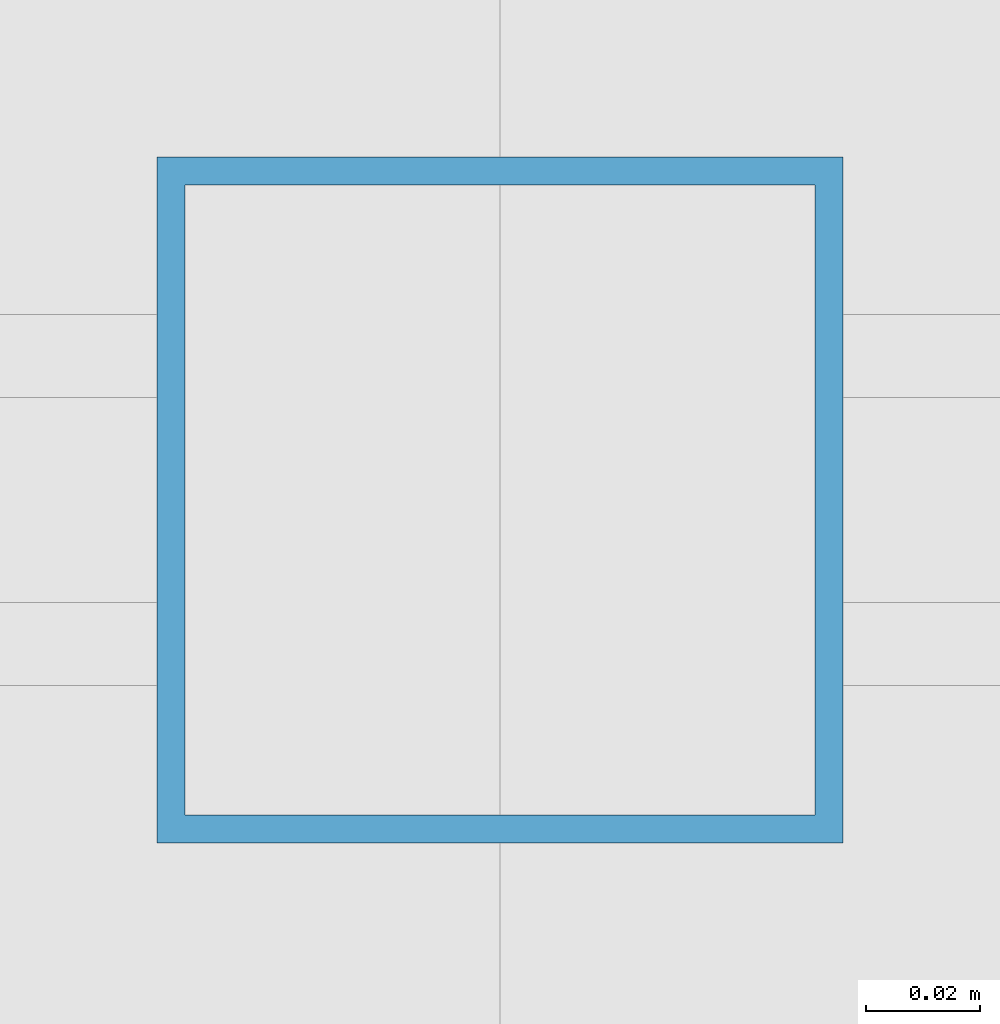
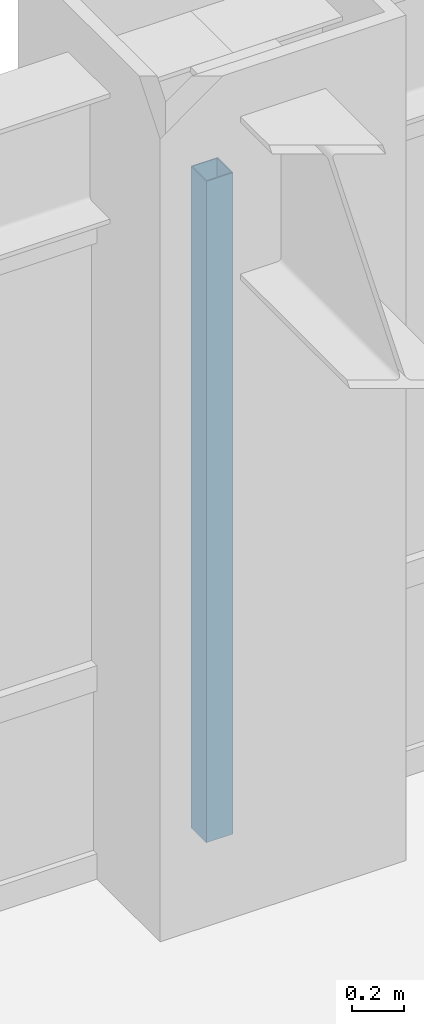
# One storey, part 16 of 25: 1 member, 1 element without a shape of its own.
"""IFC4 building model written with IfcOpenShell, lengths in metres."""

import ifcopenshell
import ifcopenshell.guid

model = None  # the IFC model being written
_history = None  # IfcOwnerHistory: only IFC2X3 demands one
_inside = {}  # id of a spatial element -> (the spatial element, [elements in it])
_under = {}  # id of a project, library or spatial element -> (it, [spatial elements below it])
_declared = {}  # id of a project -> (the project, [libraries it declares])
_typed = {}  # id of a type object -> (the type object, [elements of that type])
_made_of = {}  # id of a material, layer set ... -> (it, [elements and type objects made of it])


def new_model(schema):
    """Start an empty IFC model of exactly this schema.

    Asked for "IFC4X3", IfcOpenShell would pick the latest addendum, in which some entities
    have other attributes; the version numbers below select the first issue.
    IFC2X3 requires an IfcOwnerHistory on every rooted entity: one is made here for all.
    """
    global model, _history
    if schema == "IFC4X3":
        model = ifcopenshell.file(schema_version=(4, 3, 0, 0))
    else:
        model = ifcopenshell.file(schema=schema)
    _inside.clear()
    _under.clear()
    _declared.clear()
    _typed.clear()
    _made_of.clear()
    _history = None
    if model.schema == "IFC2X3":
        org = make("IfcOrganization", Name="unknown")
        user = make(
            "IfcPersonAndOrganization",
            ThePerson=make("IfcPerson", FamilyName="unknown"),
            TheOrganization=org,
        )
        app = make(
            "IfcApplication",
            ApplicationDeveloper=org,
            Version="unknown",
            ApplicationFullName="unknown",
            ApplicationIdentifier="unknown",
        )
        _history = make(
            "IfcOwnerHistory",
            OwningUser=user,
            OwningApplication=app,
            ChangeAction="ADDED",
            CreationDate=0,
        )
    return model


def make(cls, **values):
    """One entity of the class cls with the attributes given. An attribute that is None is left unset."""
    return model.create_entity(
        cls, **{name: value for name, value in values.items() if value is not None}
    )


def rooted(cls, **values):
    """An entity with a GlobalId (a new one), such as an element, a storey or a relation."""
    return make(cls, GlobalId=ifcopenshell.guid.new(), OwnerHistory=_history, **values)


def si_unit(unit_type, name, prefix=None):
    """IfcSIUnit, for example si_unit("LENGTHUNIT", "METRE", prefix="MILLI")."""
    return make("IfcSIUnit", UnitType=unit_type, Prefix=prefix, Name=name)


def assignment(units):
    """IfcUnitAssignment: the units of a project."""
    return None if units is None else make("IfcUnitAssignment", Units=units)


def point(xyz):
    """IfcCartesianPoint."""
    return None if xyz is None else make("IfcCartesianPoint", Coordinates=xyz)


def direction(xyz):
    """IfcDirection."""
    return None if xyz is None else make("IfcDirection", DirectionRatios=xyz)


def frame(location, z_axis=None, x_axis=None):
    """IfcAxis2Placement3D, a coordinate frame: its origin and axes. An axis left out is left unset."""
    return make(
        "IfcAxis2Placement3D",
        Location=point(location),
        Axis=direction(z_axis),
        RefDirection=direction(x_axis),
    )


def frame_2d(location, x_axis=None):
    """IfcAxis2Placement2D, a coordinate frame in the plane: its origin and x axis."""
    return make(
        "IfcAxis2Placement2D", Location=point(location), RefDirection=direction(x_axis)
    )


def origin():
    """The frame at (0, 0, 0) with its axes left unset."""
    return frame((0.0, 0.0, 0.0))


def origin_2d():
    """The frame at (0, 0) in the plane with its x axis left unset."""
    return frame_2d((0.0, 0.0))


def place(relative_to, where):
    """IfcLocalPlacement: puts the frame where relative to a parent placement (None: the world)."""
    return make(
        "IfcLocalPlacement", PlacementRelTo=relative_to, RelativePlacement=where
    )


def context(
    kind, dimensions, precision=None, world=None, true_north=None, identifier=None
):
    """IfcGeometricRepresentationContext, for example the 3D "Model" context."""
    return make(
        "IfcGeometricRepresentationContext",
        ContextIdentifier=identifier,
        ContextType=kind,
        CoordinateSpaceDimension=dimensions,
        Precision=precision,
        WorldCoordinateSystem=world,
        TrueNorth=true_north,
    )


def subcontext(parent, identifier, kind, view, scale=None):
    """IfcGeometricRepresentationSubContext, for example "Body" below "Model"."""
    return make(
        "IfcGeometricRepresentationSubContext",
        ContextIdentifier=identifier,
        ContextType=kind,
        ParentContext=parent,
        TargetScale=scale,
        TargetView=view,
    )


def project(units=None, contexts=None):
    """IfcProject with its units and contexts."""
    return rooted(
        "IfcProject",
        Name="project",
        RepresentationContexts=contexts,
        UnitsInContext=assignment(units),
    )


def spatial(cls, under=None, at=None, **own):
    """A site, building, storey or space (cls), placed at a placement, below another one or the project."""
    s = rooted(cls, ObjectPlacement=at, **own)
    if under is not None:
        _under.setdefault(under.id(), (under, []))[1].append(s)
    return s


def profile(cls, at=None, kind="AREA", **sizes):
    """A parametric profile (cls). Its sizes go by their IFC names, for example OverallWidth=200.0."""
    return make(cls, ProfileType=kind, Position=at, **sizes)


def hollow_rectangle(**sizes):
    """IfcRectangleHollowProfileDef."""
    return profile("IfcRectangleHollowProfileDef", **sizes)


def extrude(swept, where, along, depth):
    """IfcExtrudedAreaSolid: the profile swept, set in the frame where, extruded along a direction by depth."""
    return make(
        "IfcExtrudedAreaSolid",
        SweptArea=swept,
        Position=where,
        ExtrudedDirection=direction(along),
        Depth=depth,
    )


def shape(context_of_items, identifier, shape_type, items):
    """IfcShapeRepresentation: the items that make up one representation, for example the "Body"."""
    return make(
        "IfcShapeRepresentation",
        ContextOfItems=context_of_items,
        RepresentationIdentifier=identifier,
        RepresentationType=shape_type,
        Items=items,
    )


def source(mapping_origin, context_of_items, identifier, shape_type, items):
    """IfcRepresentationMap: a shape defined once, which mapped items show again and again."""
    return make(
        "IfcRepresentationMap",
        MappingOrigin=mapping_origin,
        MappedRepresentation=shape(context_of_items, identifier, shape_type, items),
    )


def transform(
    local_origin,
    x_axis=None,
    y_axis=None,
    z_axis=None,
    scale=None,
    scale2=None,
    scale3=None,
    uniform=True,
):
    """IfcCartesianTransformationOperator3D, or its non-uniform kind. x_axis, y_axis, z_axis: its Axis1, 2, 3."""
    if uniform:
        return make(
            "IfcCartesianTransformationOperator3D",
            Axis1=direction(x_axis),
            Axis2=direction(y_axis),
            LocalOrigin=point(local_origin),
            Scale=scale,
            Axis3=direction(z_axis),
        )
    return make(
        "IfcCartesianTransformationOperator3DnonUniform",
        Axis1=direction(x_axis),
        Axis2=direction(y_axis),
        LocalOrigin=point(local_origin),
        Scale=scale,
        Axis3=direction(z_axis),
        Scale2=scale2,
        Scale3=scale3,
    )


def mapped(mapping_source, mapping_target):
    """IfcMappedItem: shows the shape of a source again, moved by a transform."""
    return make(
        "IfcMappedItem", MappingSource=mapping_source, MappingTarget=mapping_target
    )


def material(Name=None, Category=None):
    """IfcMaterial."""
    return make("IfcMaterial", Name=Name, Category=Category)


def material_profile(
    of_material, cross_section, Name=None, Category=None, Priority=None
):
    """IfcMaterialProfile: a cross section and its material."""
    return make(
        "IfcMaterialProfile",
        Name=Name,
        Material=of_material,
        Profile=cross_section,
        Priority=Priority,
        Category=Category,
    )


def profile_set(profiles, Name=None, composite=None):
    """IfcMaterialProfileSet."""
    return make(
        "IfcMaterialProfileSet",
        Name=Name,
        MaterialProfiles=profiles,
        CompositeProfile=composite,
    )


def made_of(thing, what):
    """Note that an element or type object is made of a material, layer set ...; save() writes the relation."""
    if what is not None:
        _made_of.setdefault(what.id(), (what, []))[1].append(thing)
    return thing


def type_object(cls, material=None, **own):
    """A type object (cls), such as IfcWallType, which elements share."""
    return made_of(rooted(cls, **own), material)


def element(
    cls,
    number,
    at=None,
    inside=None,
    cuts=None,
    type_object=None,
    material=None,
    context=None,
    identifier="Body",
    shape_type=None,
    held_by="IfcProductDefinitionShape",
    body=None,
    shapes=None,
    **own,
):
    """One element of the class cls, such as IfcWall. Its Tag is "e" and its number.

    at: its placement. inside: the storey or other place that contains it. cuts: it is an
    opening in that element (IfcRelVoidsElement). A single representation is given by context,
    identifier, shape_type and body (its items); several are given by shapes. held_by: the class
    of the entity that holds the representations. save() writes the other relations.
    """
    e = rooted(cls, Tag="e%d" % number, ObjectPlacement=at, **own)
    if body is not None:
        shapes = [shape(context, identifier, shape_type, body)]
    if shapes is not None:
        e.Representation = make(held_by, Representations=shapes)
    if inside is not None:
        _inside.setdefault(inside.id(), (inside, []))[1].append(e)
    if cuts is not None:
        rooted(
            "IfcRelVoidsElement", RelatingBuildingElement=cuts, RelatedOpeningElement=e
        )
    if type_object is not None:
        _typed.setdefault(type_object.id(), (type_object, []))[1].append(e)
    return made_of(e, material)


def aggregate(whole, parts):
    """IfcRelAggregates: a whole, such as a stair, and the parts it consists of."""
    return rooted("IfcRelAggregates", RelatingObject=whole, RelatedObjects=parts)


def save(model, path):
    """Write the relations noted so far, then the file.

    IfcRelAggregates (storeys below a building ...), IfcRelContainedInSpatialStructure (elements
    in a storey), IfcRelDefinesByType, IfcRelAssociatesMaterial and IfcRelDeclares: one each for
    every whole, place, type object, material and project.
    """
    for whole, parts in _under.values():
        aggregate(whole, parts)
    for where, things in _inside.values():
        rooted(
            "IfcRelContainedInSpatialStructure",
            RelatedElements=things,
            RelatingStructure=where,
        )
    for kind, things in _typed.values():
        rooted("IfcRelDefinesByType", RelatedObjects=things, RelatingType=kind)
    for what, things in _made_of.values():
        rooted("IfcRelAssociatesMaterial", RelatedObjects=things, RelatingMaterial=what)
    for by, libraries in _declared.values():
        rooted("IfcRelDeclares", RelatingContext=by, RelatedDefinitions=libraries)
    model.write(path)


model = new_model("IFC4")

# Units and contexts
model_context = context("Model", 3, precision=1e-05, world=origin(), true_north=direction((0.0, 1.0)))
body_context = subcontext(model_context, "Body", "Model", "MODEL_VIEW")
ifc_project = project(units=[si_unit("LENGTHUNIT", "METRE"), si_unit("AREAUNIT", "SQUARE_METRE"), si_unit("VOLUMEUNIT", "CUBIC_METRE"), si_unit("PLANEANGLEUNIT", "RADIAN"), si_unit("MASSUNIT", "GRAM", prefix="KILO")], contexts=[model_context])

# Site, building, storey
site_placement = place(None, origin())
site = spatial("IfcSite", under=ifc_project, at=site_placement, CompositionType="ELEMENT")
building_placement = place(site_placement, origin())
building = spatial("IfcBuilding", under=site, at=building_placement, Name="Khorayat Bourse Tower", CompositionType="ELEMENT")
storey_placement = place(building_placement, frame((0.0, 0.0, 195.10009765625)))
storey = spatial("IfcBuildingStorey", under=building, at=storey_placement, Name="L45", CompositionType="ELEMENT", Elevation=195.10009765625)

# Curtain wall, member
ifc_material = material(Name="Aluminium EN AW-6063 T6", Category="aluminium")
curtain_wall_type = type_object("IfcCurtainWallType", Name="CW-SYS-03", PredefinedType="NOTDEFINED", material=ifc_material)
curtain_wall_placement = place(storey_placement, origin())
curtain_wall = element("IfcCurtainWall", 1, at=curtain_wall_placement, inside=storey, type_object=curtain_wall_type, Name="L45 Curtain Wall CW-L45-N1", PredefinedType="NOTDEFINED")
ifc_material_profile = material_profile(ifc_material, hollow_rectangle(XDim=0.1201171875, YDim=0.1201171875, WallThickness=0.0048828125, at=origin_2d()), Name="ALU 120x120x5")
ifc_profile_set = profile_set([ifc_material_profile], Name="Aluminium EN AW-6063 T6")
member_type = type_object("IfcMemberType", Name="CWM-VERT-120", PredefinedType="MULLION", material=ifc_profile_set)
shared_shape = source(origin(), body_context, "Body", "SweptSolid", [
    extrude(hollow_rectangle(XDim=0.1201171875, YDim=0.1201171875, WallThickness=0.0048828125, at=origin_2d()), origin(), (0.0, 0.0, 1.0), 3.1298828125),
])
member_placement = place(storey_placement, frame((0.0, 30.0, 0.0), z_axis=(0.0, 0.0, 1.0), x_axis=(0.0, 1.0, 0.0)))
member = element("IfcMember", 2, at=member_placement, type_object=member_type, Name="CW-L45-N1 Vertical Mullion 2", PredefinedType="MULLION", context=body_context, shape_type="MappedRepresentation", body=[
    mapped(shared_shape, transform((0.0, 0.0, 0.0), scale=1.0)),
])
aggregate(curtain_wall, [member])

save(model, "model.ifc")
